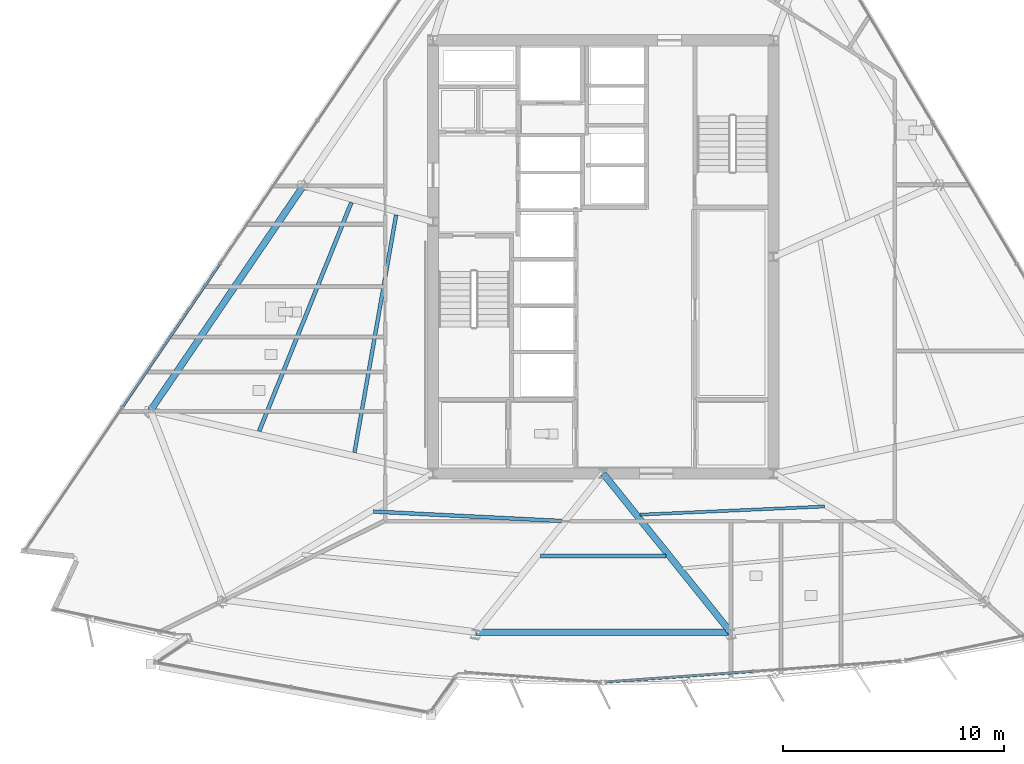
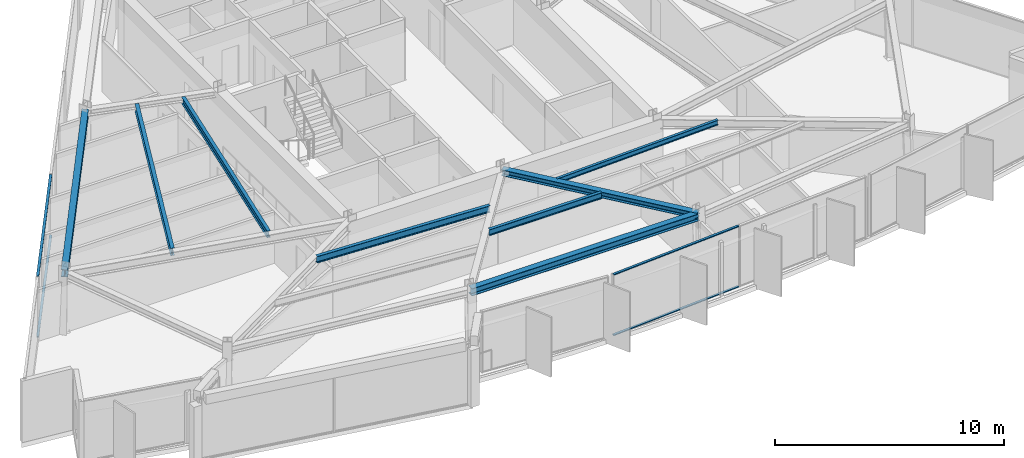
# One storey, part 3 of 14: 8 beams, 4 members, 2 elements without a shape of their own.
"""IFC4 building model written with IfcOpenShell, lengths in metres."""

from ifc_helpers import new_model, si_unit, direction, frame, origin, origin_2d, place, context, subcontext, project, spatial, rectangle, i_section, extrude, material, material_profile, profile_set, type_object, element, aggregate, save


model = new_model("IFC4")

# Units and contexts
model_context = context("Model", 3, precision=1e-05, world=origin(), true_north=direction((0.0, 1.0)))
body_context = subcontext(model_context, "Body", "Model", "MODEL_VIEW")
ifc_project = project(units=[si_unit("LENGTHUNIT", "METRE"), si_unit("AREAUNIT", "SQUARE_METRE"), si_unit("VOLUMEUNIT", "CUBIC_METRE"), si_unit("PLANEANGLEUNIT", "RADIAN"), si_unit("MASSUNIT", "GRAM", prefix="KILO")], contexts=[model_context])

# Site, building, storey
site_placement = place(None, origin())
site = spatial("IfcSite", under=ifc_project, at=site_placement, CompositionType="ELEMENT")
building_placement = place(site_placement, origin())
building = spatial("IfcBuilding", under=site, at=building_placement, Name="Savorim Split Tower", CompositionType="ELEMENT")
storey_placement = place(building_placement, frame((0.0, 0.0, 181.800048828125)))
storey = spatial("IfcBuildingStorey", under=building, at=storey_placement, Name="L48", CompositionType="ELEMENT", Elevation=181.800048828125)

# Beams
ifc_material_1 = material(Name="Steel S355", Category="steel")
ifc_material_profile_1 = material_profile(ifc_material_1, i_section(OverallWidth=0.135009765625, OverallDepth=0.27001953125, WebThickness=0.006591796875, FlangeThickness=0.01025390625, FilletRadius=0.014892578125, at=origin_2d()), Name="IPE 270")
ifc_profile_set_1 = profile_set([ifc_material_profile_1], Name="Steel S355")
beam_type_1 = type_object("IfcBeamType", Name="BM-JST-IPE270", PredefinedType="JOIST", material=ifc_profile_set_1)
beam_1_placement = place(storey_placement, frame((1.65771484375, -11.2568359375, 3.14501953125), z_axis=(0.999033259599, 0.043960734919, 0.0), x_axis=(-0.043960734919, 0.999033259599, 0.0)))
element("IfcBeam", 1, at=beam_1_placement, inside=storey, type_object=beam_type_1, Name="L48 Secondary Floor Joist JS-05", PredefinedType="JOIST", context=body_context, shape_type="SweptSolid", body=[
    extrude(i_section(OverallWidth=0.135009765625, OverallDepth=0.27001953125, WebThickness=0.006591796875, FlangeThickness=0.01025390625, FilletRadius=0.014892578125, at=origin_2d()), origin(), (0.0, 0.0, 1.0), 8.358154296875),
])
ifc_material_profile_2 = material_profile(ifc_material_1, i_section(OverallWidth=0.159912109375, OverallDepth=0.330078125, WebThickness=0.007568359375, FlangeThickness=0.011474609375, FilletRadius=0.01806640625, at=origin_2d()), Name="IPE 330")
ifc_profile_set_2 = profile_set([ifc_material_profile_2], Name="Steel S355")
beam_type_2 = type_object("IfcBeamType", Name="BM-JST-IPE330", PredefinedType="JOIST", material=ifc_profile_set_2)
beam_2_placement = place(storey_placement, frame((-2.8359375, -13.127685546875, 3.114990234375), z_axis=(1.0, 0.0, 0.0), x_axis=(0.0, 1.0, 0.0)))
element("IfcBeam", 2, at=beam_2_placement, inside=storey, type_object=beam_type_2, Name="L48 Secondary Floor Joist JS-03", PredefinedType="JOIST", context=body_context, shape_type="SweptSolid", body=[
    extrude(i_section(OverallWidth=0.159912109375, OverallDepth=0.330078125, WebThickness=0.007568359375, FlangeThickness=0.011474609375, FilletRadius=0.01806640625, at=origin_2d()), origin(), (0.0, 0.0, 1.0), 5.671875),
])
ifc_material_profile_3 = material_profile(ifc_material_1, i_section(OverallWidth=0.169921875, OverallDepth=0.360107421875, WebThickness=0.008056640625, FlangeThickness=0.0126953125, FilletRadius=0.01806640625, at=origin_2d()), Name="IPE 360")
ifc_profile_set_3 = profile_set([ifc_material_profile_3], Name="Steel S355")
beam_type_3 = type_object("IfcBeamType", Name="BM-JST-IPE360", PredefinedType="JOIST", material=ifc_profile_set_3)
beam_3_placement = place(storey_placement, frame((-10.38720703125, -11.118408203125, 3.099853515625), z_axis=(0.998757484892, -0.04983459012, 0.0), x_axis=(0.04983459012, 0.998757484892, 0.0)))
element("IfcBeam", 3, at=beam_3_placement, inside=storey, type_object=beam_type_3, Name="L48 Secondary Floor Joist JS-02", PredefinedType="JOIST", context=body_context, shape_type="SweptSolid", body=[
    extrude(i_section(OverallWidth=0.169921875, OverallDepth=0.360107421875, WebThickness=0.008056640625, FlangeThickness=0.0126953125, FilletRadius=0.01806640625, at=origin_2d()), origin(), (0.0, 0.0, 1.0), 8.509521484375),
])
beam_4_placement = place(storey_placement, frame((-9.3662109375, 2.299072265625, 3.099853515625), z_axis=(-0.172680605117, -0.984977872146, 0.0), x_axis=(0.984977872146, -0.172680605117, 0.0)))
element("IfcBeam", 4, at=beam_4_placement, inside=storey, type_object=beam_type_3, Name="L48 Secondary Floor Joist JS-11", PredefinedType="JOIST", context=body_context, shape_type="SweptSolid", body=[
    extrude(i_section(OverallWidth=0.169921875, OverallDepth=0.360107421875, WebThickness=0.008056640625, FlangeThickness=0.0126953125, FilletRadius=0.01806640625, at=origin_2d()), origin(), (0.0, 0.0, 1.0), 10.90625),
])
ifc_material_profile_4 = material_profile(ifc_material_1, i_section(OverallWidth=0.179931640625, OverallDepth=0.39990234375, WebThickness=0.008544921875, FlangeThickness=0.013427734375, FilletRadius=0.02099609375, at=origin_2d()), Name="IPE 400")
ifc_profile_set_4 = profile_set([ifc_material_profile_4], Name="Steel S355")
beam_type_4 = type_object("IfcBeamType", Name="BM-JST-IPE400", PredefinedType="JOIST", material=ifc_profile_set_4)
beam_5_placement = place(storey_placement, frame((-11.388427734375, 2.86279296875, 3.079833984375), z_axis=(-0.37406458769, -0.927402654857, 0.0), x_axis=(0.927402654857, -0.37406458769, 0.0)))
element("IfcBeam", 5, at=beam_5_placement, inside=storey, type_object=beam_type_4, Name="L48 Secondary Floor Joist JS-10", PredefinedType="JOIST", context=body_context, shape_type="SweptSolid", body=[
    extrude(i_section(OverallWidth=0.179931640625, OverallDepth=0.39990234375, WebThickness=0.008544921875, FlangeThickness=0.013427734375, FilletRadius=0.02099609375, at=origin_2d()), origin(), (0.0, 0.0, 1.0), 11.15478515625),
])
ifc_material_profile_5 = material_profile(ifc_material_1, i_section(OverallWidth=0.300048828125, OverallDepth=0.320068359375, WebThickness=0.011474609375, FlangeThickness=0.0205078125, FilletRadius=0.027099609375, at=origin_2d()), Name="HEB 320")
ifc_profile_set_5 = profile_set([ifc_material_profile_5], Name="Steel S355")
beam_type_5 = type_object("IfcBeamType", Name="BM-PRI-HEB320", PredefinedType="BEAM", material=ifc_profile_set_5)
beam_6_placement = place(storey_placement, frame((5.761474609375, -16.568359375, 3.119873046875), z_axis=(-0.626464268403, 0.779450139787, 0.0), x_axis=(-0.779450139787, -0.626464268403, 0.0)))
element("IfcBeam", 6, at=beam_6_placement, inside=storey, type_object=beam_type_5, Name="L48 Primary Floor Girder RG-03", PredefinedType="BEAM", context=body_context, shape_type="SweptSolid", body=[
    extrude(i_section(OverallWidth=0.300048828125, OverallDepth=0.320068359375, WebThickness=0.011474609375, FlangeThickness=0.0205078125, FilletRadius=0.027099609375, at=origin_2d()), origin(), (0.0, 0.0, 1.0), 9.19677734375),
])
ifc_material_profile_6 = material_profile(ifc_material_1, i_section(OverallWidth=0.300048828125, OverallDepth=0.389892578125, WebThickness=0.010986328125, FlangeThickness=0.01904296875, FilletRadius=0.027099609375, at=origin_2d()), Name="HEA 400")
ifc_profile_set_6 = profile_set([ifc_material_profile_6], Name="Steel S355")
beam_type_6 = type_object("IfcBeamType", Name="BM-SPN-HEA400", PredefinedType="SPANDREL", material=ifc_profile_set_6)
beam_7_placement = place(storey_placement, frame((-5.761474609375, -16.568359375, 3.0849609375), z_axis=(1.0, 0.0, 0.0), x_axis=(0.0, 1.0, 0.0)))
element("IfcBeam", 7, at=beam_7_placement, inside=storey, type_object=beam_type_6, Name="L48 Perimeter Spandrel Beam 2", PredefinedType="SPANDREL", context=body_context, shape_type="SweptSolid", body=[
    extrude(i_section(OverallWidth=0.300048828125, OverallDepth=0.389892578125, WebThickness=0.010986328125, FlangeThickness=0.01904296875, FilletRadius=0.027099609375, at=origin_2d()), origin(), (0.0, 0.0, 1.0), 11.52294921875),
])
beam_8_placement = place(storey_placement, frame((-13.552490234375, 3.630859375, 3.0849609375), z_axis=(-0.562461921333, -0.826823189715, 0.0), x_axis=(0.826823189715, -0.562461921333, 0.0)))
element("IfcBeam", 8, at=beam_8_placement, inside=storey, type_object=beam_type_6, Name="L48 Perimeter Spandrel Beam 9", PredefinedType="SPANDREL", context=body_context, shape_type="SweptSolid", body=[
    extrude(i_section(OverallWidth=0.300048828125, OverallDepth=0.389892578125, WebThickness=0.010986328125, FlangeThickness=0.01904296875, FilletRadius=0.027099609375, at=origin_2d()), origin(), (0.0, 0.0, 1.0), 12.30859375),
])

# Curtain wall, members
ifc_material_2 = material(Name="Dark Ceramic-Fritted Insulated Glass", Category="glass")
curtain_wall_type = type_object("IfcCurtainWallType", Name="CW-TWR-FRIT-B", PredefinedType="NOTDEFINED", material=ifc_material_2)
curtain_wall_1_placement = place(storey_placement, origin())
curtain_wall_1 = element("IfcCurtainWall", 9, at=curtain_wall_1_placement, inside=storey, type_object=curtain_wall_type, Name="L48 Curtain Wall CW-L48-SF3A", PredefinedType="NOTDEFINED")
ifc_material_3 = material(Name="Charcoal Anodised Aluminium", Category="aluminium")
ifc_material_profile_7 = material_profile(ifc_material_3, rectangle(XDim=0.1201171875, YDim=0.050048828125, at=origin_2d()), Name="ALU-T 120x50")
ifc_profile_set_7 = profile_set([ifc_material_profile_7], Name="Charcoal Anodised Aluminium")
member_type = type_object("IfcMemberType", Name="CWT-120x50", PredefinedType="USERDEFINED", material=ifc_profile_set_7)
member_1_placement = place(storey_placement, frame((0.151123046875, -18.82080078125, 0.02490234375), z_axis=(0.997436913566, 0.071551404297, 0.0), x_axis=(-0.071551404297, 0.997436913566, 0.0)))
member_1 = element("IfcMember", 10, at=member_1_placement, type_object=member_type, Name="CW-03 transom 1.1", ObjectType="TRANSOM", PredefinedType="USERDEFINED", context=body_context, shape_type="SweptSolid", body=[
    extrude(rectangle(XDim=0.1201171875, YDim=0.050048828125, at=origin_2d()), origin(), (0.0, 0.0, 1.0), 6.612548828125),
])
member_2_placement = place(storey_placement, frame((0.151123046875, -18.82080078125, 3.2548828125), z_axis=(0.997436913566, 0.071551404297, 0.0), x_axis=(-0.071551404297, 0.997436913566, 0.0)))
member_2 = element("IfcMember", 11, at=member_2_placement, type_object=member_type, Name="CW-03 transom 1.2", ObjectType="TRANSOM", PredefinedType="USERDEFINED", context=body_context, shape_type="SweptSolid", body=[
    extrude(rectangle(XDim=0.1201171875, YDim=0.050048828125, at=origin_2d()), origin(), (0.0, 0.0, 1.0), 6.612548828125),
])
aggregate(curtain_wall_1, [member_1, member_2])

curtain_wall_2_placement = place(storey_placement, origin())
curtain_wall_2 = element("IfcCurtainWall", 12, at=curtain_wall_2_placement, inside=storey, type_object=curtain_wall_type, Name="L48 Curtain Wall CW-L48-WEST", PredefinedType="NOTDEFINED")
member_3_placement = place(storey_placement, frame((-17.35302734375, 0.064697265625, 0.02490234375), z_axis=(-0.562475680235, -0.826813829798, 0.0), x_axis=(0.826813829798, -0.562475680235, 0.0)))
member_3 = element("IfcMember", 13, at=member_3_placement, type_object=member_type, Name="CW-03 transom 3.1", ObjectType="TRANSOM", PredefinedType="USERDEFINED", context=body_context, shape_type="SweptSolid", body=[
    extrude(rectangle(XDim=0.1201171875, YDim=0.050048828125, at=origin_2d()), origin(), (0.0, 0.0, 1.0), 7.779296875),
])
member_4_placement = place(storey_placement, frame((-17.35302734375, 0.064697265625, 3.2548828125), z_axis=(-0.562475680235, -0.826813829798, 0.0), x_axis=(0.826813829798, -0.562475680235, 0.0)))
member_4 = element("IfcMember", 14, at=member_4_placement, type_object=member_type, Name="CW-03 transom 3.2", ObjectType="TRANSOM", PredefinedType="USERDEFINED", context=body_context, shape_type="SweptSolid", body=[
    extrude(rectangle(XDim=0.1201171875, YDim=0.050048828125, at=origin_2d()), origin(), (0.0, 0.0, 1.0), 7.779296875),
])
aggregate(curtain_wall_2, [member_3, member_4])

save(model, "model.ifc")
